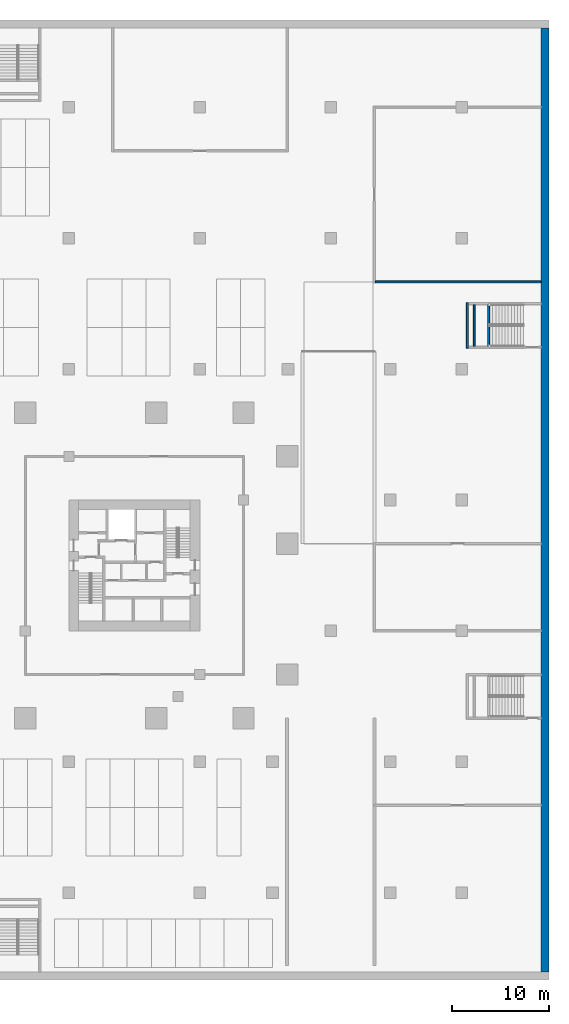
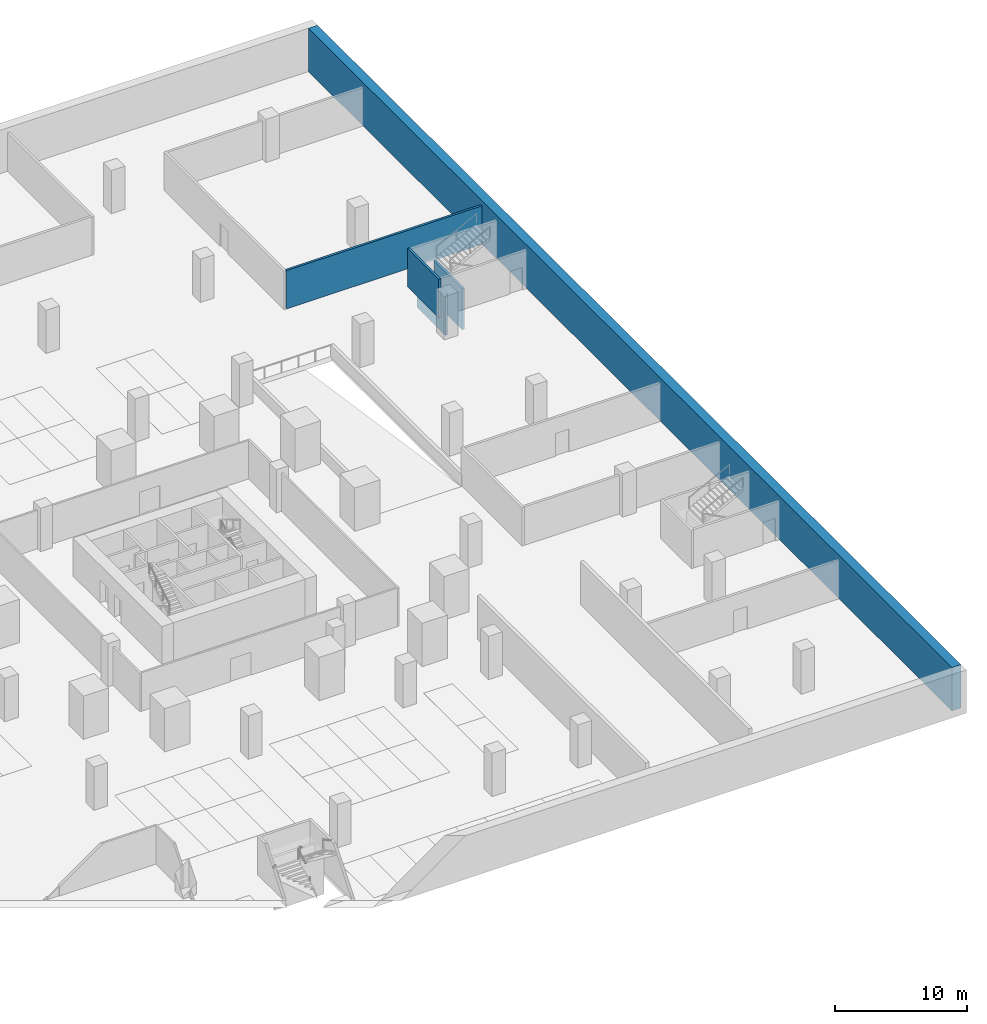
# One storey, part 13 of 31: 5 walls.
"""IFC4 building model written with IfcOpenShell, lengths in metres."""

from ifc_helpers import new_model, si_unit, direction, frame, frame_2d, origin, place, context, subcontext, project, spatial, rectangle, extrude, material, layer, layer_set, type_object, element, save


model = new_model("IFC4")

# Units and contexts
model_context = context("Model", 3, precision=1e-05, world=origin(), true_north=direction((0.0, 1.0)))
body_context = subcontext(model_context, "Body", "Model", "MODEL_VIEW")
ifc_project = project(units=[si_unit("LENGTHUNIT", "METRE"), si_unit("AREAUNIT", "SQUARE_METRE"), si_unit("VOLUMEUNIT", "CUBIC_METRE"), si_unit("PLANEANGLEUNIT", "RADIAN"), si_unit("MASSUNIT", "GRAM", prefix="KILO")], contexts=[model_context])

# Site, building, storey
site_placement = place(None, origin())
site = spatial("IfcSite", under=ifc_project, at=site_placement, CompositionType="ELEMENT")
building_placement = place(site_placement, origin())
building = spatial("IfcBuilding", under=site, at=building_placement, Name="Altepetl Exchange Towers", CompositionType="ELEMENT")
storey_placement = place(building_placement, frame((0.0, 0.0, -4.0)))
storey = spatial("IfcBuildingStorey", under=building, at=storey_placement, Name="B1 Basement services", CompositionType="ELEMENT", Elevation=-4.0)

# Walls
ifc_material_1 = material(Name="Reinforced concrete C35/45", Category="concrete")
ifc_layer_1 = layer(ifc_material_1, 0.199951171875)
ifc_layer_set_1 = layer_set([ifc_layer_1], Name="Reinforced concrete C35/45")
wall_type_1 = type_object("IfcWallType", Name="Landing support wall 200", PredefinedType="SOLIDWALL", material=ifc_layer_set_1)
for number, where, z_axis, x_axis, name in (
    (1, (146.780029296875, 65.35009765625, -2.0), (0.0, 0.0, 1.0), (0.0, 1.0, 0.0), "wall:P:B1:ES8sup0"),
    (2, (145.300048828125, 65.35009765625, -2.0), (0.0, 0.0, 1.0), (0.0, 1.0, 0.0), "wall:P:B1:ES8sup1"),
):
    element("IfcWall", number, at=place(storey_placement, frame(where, z_axis=z_axis, x_axis=x_axis)), inside=storey, type_object=wall_type_1, Name=name, PredefinedType="SOLIDWALL", context=body_context, shape_type="SweptSolid", body=[
        extrude(rectangle(XDim=4.2998046875, YDim=0.199951171875, at=frame_2d((2.14990234375, 0.0))), origin(), (0.0, 0.0, 1.0), 3.800048828125),
    ])
ifc_material_2 = material(Name="Concrete block masonry", Category="masonry")
ifc_layer_2 = layer(ifc_material_2, 0.199951171875)
ifc_layer_set_2 = layer_set([ifc_layer_2], Name="Concrete block masonry")
wall_type_2 = type_object("IfcWallType", Name="Podium fire wall 200", PredefinedType="SOLIDWALL", material=ifc_layer_set_2)
wall_1_placement = place(storey_placement, frame((135.10009765625, 72.0, 0.0)))
element("IfcWall", 3, at=wall_1_placement, inside=storey, type_object=wall_type_2, Name="wall:P:B1:P025", PredefinedType="SOLIDWALL", context=body_context, shape_type="SweptSolid", body=[
    extrude(rectangle(XDim=17.099853515625, YDim=0.199951171875, at=frame_2d((8.5498046875, 0.0))), origin(), (0.0, 0.0, 1.0), 3.550048828125),
])
ifc_material_3 = material(Name="Concrete C60/75", Category="concrete")
ifc_layer_3 = layer(ifc_material_3, 0.800048828125)
ifc_layer_set_3 = layer_set([ifc_layer_3], Name="Concrete C60/75")
wall_type_3 = type_object("IfcWallType", Name="Retaining wall 800", PredefinedType="SOLIDWALL", material=ifc_layer_set_3)
wall_2_placement = place(storey_placement, frame((152.60009765625, 0.800048828125, 0.0), z_axis=(0.0, 0.0, 1.0), x_axis=(0.0, 1.0, 0.0)))
element("IfcWall", 4, at=wall_2_placement, inside=storey, type_object=wall_type_3, Name="wall:P:B1:retE", PredefinedType="SOLIDWALL", context=body_context, shape_type="SweptSolid", body=[
    extrude(rectangle(XDim=97.39990234375, YDim=0.800048828125, at=frame_2d((48.699951171875, 0.0))), origin(), (0.0, 0.0, 1.0), 4.0),
])
ifc_layer_4 = layer(ifc_material_1, 0.199951171875)
ifc_layer_set_4 = layer_set([ifc_layer_4], Name="Reinforced concrete C35/45")
wall_type_4 = type_object("IfcWallType", Name="Stair enclosure wall 200", PredefinedType="SOLIDWALL", material=ifc_layer_set_4)
wall_3_placement = place(storey_placement, frame((144.60009765625, 65.14990234375, 0.0), z_axis=(0.0, 0.0, 1.0), x_axis=(0.0, 1.0, 0.0)))
element("IfcWall", 5, at=wall_3_placement, inside=storey, type_object=wall_type_4, Name="wall:P:B1:P079", PredefinedType="SOLIDWALL", context=body_context, shape_type="SweptSolid", body=[
    extrude(rectangle(XDim=4.7001953125, YDim=0.199951171875, at=frame_2d((2.35009765625, 0.0))), origin(), (0.0, 0.0, 1.0), 3.550048828125),
])

save(model, "model.ifc")
